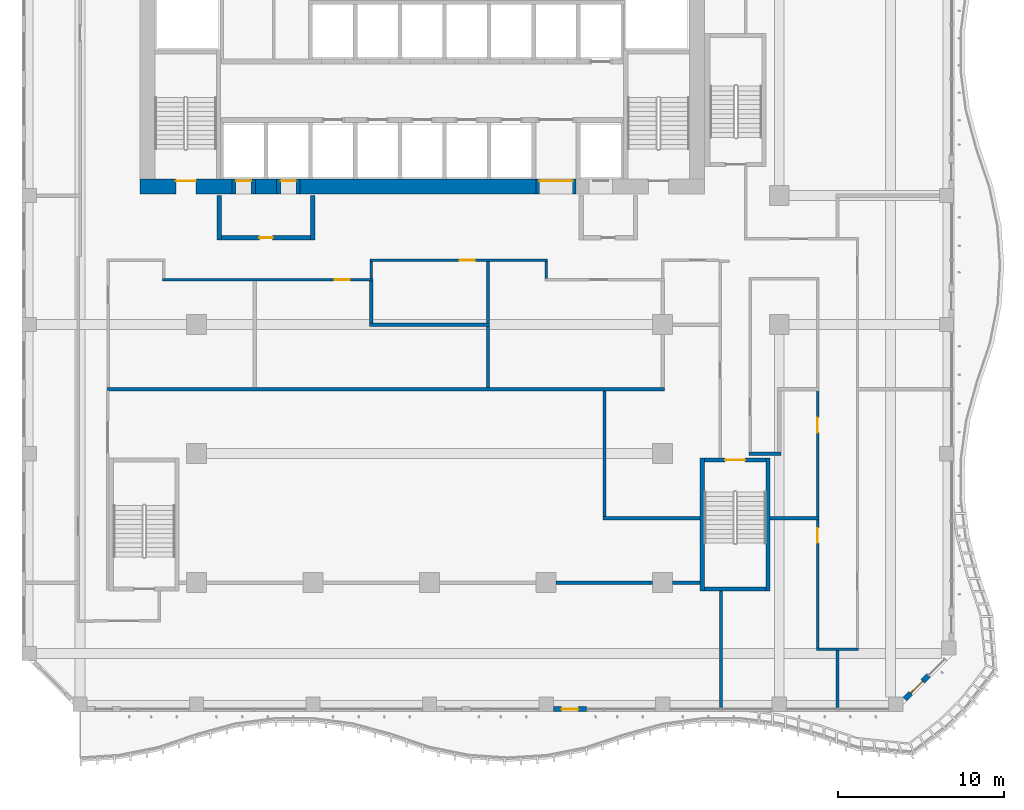
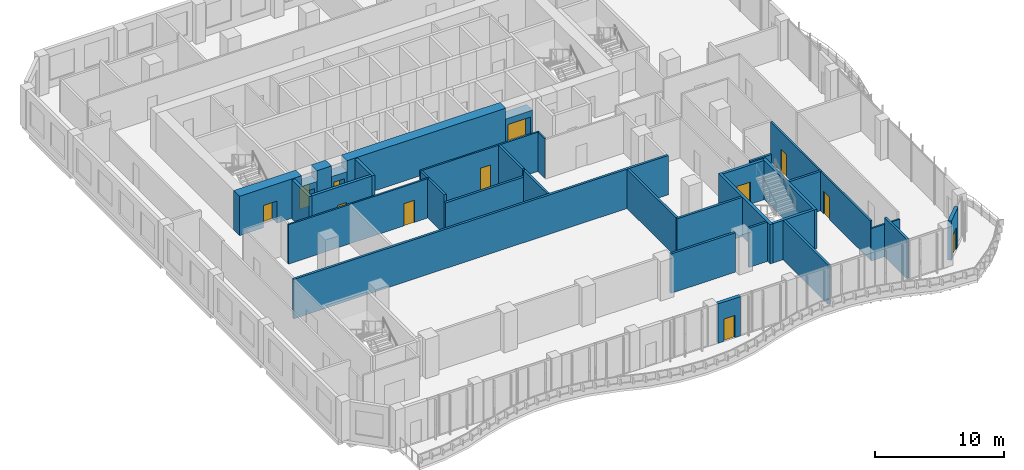
# One storey, part 13 of 27: 35 walls, 12 doors, 12 openings.
"""IFC4 building model written with IfcOpenShell, lengths in metres."""

from ifc_helpers import new_model, si_unit, direction, frame, frame_2d, origin, place, context, subcontext, project, spatial, rectangle, extrude, source, transform, mapped, material, layer, layer_set, type_object, element, fill, save


model = new_model("IFC4")

# Units and contexts
model_context = context("Model", 3, precision=1e-05, world=origin(), true_north=direction((0.0, 1.0)))
body_context = subcontext(model_context, "Body", "Model", "MODEL_VIEW")
ifc_project = project(units=[si_unit("LENGTHUNIT", "METRE"), si_unit("AREAUNIT", "SQUARE_METRE"), si_unit("VOLUMEUNIT", "CUBIC_METRE"), si_unit("PLANEANGLEUNIT", "RADIAN"), si_unit("MASSUNIT", "GRAM", prefix="KILO")], contexts=[model_context])

# Site, building, storey
site_placement = place(None, origin())
site = spatial("IfcSite", under=ifc_project, at=site_placement, CompositionType="ELEMENT")
building_placement = place(site_placement, origin())
building = spatial("IfcBuilding", under=site, at=building_placement, Name="Kilnfold Tower and Market Hall", CompositionType="ELEMENT")
storey_placement = place(building_placement, frame((0.0, 0.0, 112.60009765625)))
storey = spatial("IfcBuildingStorey", under=building, at=storey_placement, Name="L26", CompositionType="ELEMENT", Elevation=112.60009765625)

# Wall, opening, door
ifc_material_1 = material(Name="Gypsum board on steel studs", Category="steel")
ifc_layer_1 = layer(ifc_material_1, 0.14990234375)
ifc_layer_set_1 = layer_set([ifc_layer_1], Name="Gypsum board on steel studs")
wall_type_1 = type_object("IfcWallType", Name="WALL CORRIDOR 150", PredefinedType="PARTITIONING", material=ifc_layer_set_1)
wall_1_placement = place(storey_placement, frame((-14.534912109375, 2.949951171875, 0.0), z_axis=(0.0, 0.0, 1.0), x_axis=(1.0, 0.0, 0.0)))
wall_1 = element("IfcWall", 1, at=wall_1_placement, inside=storey, type_object=wall_type_1, Name="Partition LY17.3", PredefinedType="PARTITIONING", context=body_context, shape_type="SweptSolid", body=[
    extrude(rectangle(XDim=12.635009765625, YDim=0.14990234375, at=frame_2d((6.3173828125, 0.0))), origin(), (0.0, 0.0, 1.0), 3.719970703125),
])
opening_1_placement = place(wall_1_placement, frame((10.3330078125, 0.0, 0.0)))
opening_1 = element("IfcOpeningElement", 2, at=opening_1_placement, cuts=wall_1, Name="Opening D3", PredefinedType="OPENING", context=body_context, shape_type="SweptSolid", body=[
    extrude(rectangle(XDim=0.89990234375, YDim=2.10009765625, at=frame_2d((0.449951171875, 1.050048828125))), frame((0.0, 0.0849609375, 0.0), z_axis=(0.0, -1.0, 0.0), x_axis=(1.0, 0.0, 0.0)), (0.0, 0.0, 1.0), 0.169921875),
])
ifc_material_2 = material(Name="Timber veneer door leaf in steel frame", Category="steel")
door_type_1 = type_object("IfcDoorType", Name="DOOR WC 900 X2100", OperationType="NOTDEFINED", PredefinedType="DOOR", material=ifc_material_2)
door_1_placement = place(opening_1_placement, origin())
door_1 = element("IfcDoor", 3, at=door_1_placement, inside=storey, type_object=door_type_1, Name="Door D3", OperationType="SINGLE_SWING_LEFT", OverallHeight=2.10009765625, OverallWidth=0.89990234375, PredefinedType="DOOR", context=body_context, shape_type="SweptSolid", body=[
    extrude(rectangle(XDim=0.89990234375, YDim=2.10009765625, at=frame_2d((0.449951171875, 1.050048828125))), frame((0.0, 0.02490234375, 0.0), z_axis=(0.0, -1.0, 0.0), x_axis=(1.0, 0.0, 0.0)), (0.0, 0.0, 1.0), 0.050048828125),
])
fill(opening_1, door_1)

wall_2_placement = place(storey_placement, frame((-2.074951171875, 4.125, 0.0), z_axis=(0.0, 0.0, 1.0), x_axis=(1.0, 0.0, 0.0)))
wall_2 = element("IfcWall", 4, at=wall_2_placement, inside=storey, type_object=wall_type_1, Name="Partition LY17.13", PredefinedType="PARTITIONING", context=body_context, shape_type="SweptSolid", body=[
    extrude(rectangle(XDim=10.64990234375, YDim=0.14990234375, at=frame_2d((5.324951171875, 0.0))), origin(), (0.0, 0.0, 1.0), 3.719970703125),
])
opening_2_placement = place(wall_2_placement, frame((5.3759765625, 0.0, 0.0)))
opening_2 = element("IfcOpeningElement", 5, at=opening_2_placement, cuts=wall_2, Name="Opening D2", PredefinedType="OPENING", context=body_context, shape_type="SweptSolid", body=[
    extrude(rectangle(XDim=0.89990234375, YDim=2.10009765625, at=frame_2d((0.449951171875, 1.050048828125))), frame((0.0, 0.0849609375, 0.0), z_axis=(0.0, -1.0, 0.0), x_axis=(1.0, 0.0, 0.0)), (0.0, 0.0, 1.0), 0.169921875),
])
ifc_material_3 = material(Name="Timber veneer door leaf in steel frame", Category="steel")
door_type_2 = type_object("IfcDoorType", Name="DOOR ROOM 900 X2100", OperationType="NOTDEFINED", PredefinedType="DOOR", material=ifc_material_3)
door_2_placement = place(opening_2_placement, origin())
door_2 = element("IfcDoor", 6, at=door_2_placement, inside=storey, type_object=door_type_2, Name="Door D2", OperationType="SINGLE_SWING_RIGHT", OverallHeight=2.10009765625, OverallWidth=0.89990234375, PredefinedType="DOOR", context=body_context, shape_type="SweptSolid", body=[
    extrude(rectangle(XDim=0.89990234375, YDim=2.10009765625, at=frame_2d((0.449951171875, 1.050048828125))), frame((0.0, 0.02490234375, 0.0), z_axis=(0.0, -1.0, 0.0), x_axis=(1.0, 0.0, 0.0)), (0.0, 0.0, 1.0), 0.050048828125),
])
fill(opening_2, door_2)

# Walls
for number, where, z_axis, x_axis, name in (
    (7, (-2.0, 3.02490234375, 0.0), (0.0, 0.0, 1.0), (0.0, 1.0, 0.0), "Partition LY17.14"),
    (8, (8.5, 4.050048828125, 0.0), (0.0, 0.0, 1.0), (0.0, -1.0, 0.0), "Partition LY17.16"),
):
    element("IfcWall", number, at=place(storey_placement, frame(where, z_axis=z_axis, x_axis=x_axis)), inside=storey, type_object=wall_type_1, Name=name, PredefinedType="PARTITIONING", context=body_context, shape_type="SweptSolid", body=[
        extrude(rectangle(XDim=1.025146484375, YDim=0.14990234375, at=frame_2d((0.5126953125, 0.0))), origin(), (0.0, 0.0, 1.0), 3.719970703125),
    ])
wall_3_placement = place(storey_placement, frame((24.72509765625, -19.25, 0.0), z_axis=(0.0, 0.0, 1.0), x_axis=(1.0, 0.0, 0.0)))
element("IfcWall", 9, at=wall_3_placement, inside=storey, type_object=wall_type_1, Name="Partition LY17.18", PredefinedType="PARTITIONING", context=body_context, shape_type="SweptSolid", body=[
    extrude(rectangle(XDim=2.5498046875, YDim=0.14990234375, at=frame_2d((1.27490234375, 0.0))), origin(), (0.0, 0.0, 1.0), 3.06982421875),
])

# Wall, opening, door
wall_4_placement = place(storey_placement, frame((24.800048828125, -19.175048828125, 0.0), z_axis=(0.0, 0.0, 1.0), x_axis=(0.0, 1.0, 0.0)))
wall_4 = element("IfcWall", 10, at=wall_4_placement, inside=storey, type_object=wall_type_1, Name="Partition LY17.19", PredefinedType="PARTITIONING", context=body_context, shape_type="SweptSolid", body=[
    extrude(rectangle(XDim=7.7099609375, YDim=0.14990234375, at=frame_2d((3.85498046875, 0.0))), origin(), (0.0, 0.0, 1.0), 3.719970703125),
])
opening_3_placement = place(wall_4_placement, frame((6.31005859375, 0.0, 0.0)))
opening_3 = element("IfcOpeningElement", 11, at=opening_3_placement, cuts=wall_4, Name="Opening D3", PredefinedType="OPENING", context=body_context, shape_type="SweptSolid", body=[
    extrude(rectangle(XDim=0.89990234375, YDim=2.10009765625, at=frame_2d((0.449951171875, 1.050048828125))), frame((0.0, 0.0849609375, 0.0), z_axis=(0.0, -1.0, 0.0), x_axis=(1.0, 0.0, 0.0)), (0.0, 0.0, 1.0), 0.169921875),
])
door_3_placement = place(opening_3_placement, origin())
door_3 = element("IfcDoor", 12, at=door_3_placement, inside=storey, type_object=door_type_1, Name="Door D3", OperationType="SINGLE_SWING_RIGHT", OverallHeight=2.10009765625, OverallWidth=0.89990234375, PredefinedType="DOOR", context=body_context, shape_type="SweptSolid", body=[
    extrude(rectangle(XDim=0.89990234375, YDim=2.10009765625, at=frame_2d((0.449951171875, 1.050048828125))), frame((0.0, 0.02490234375, 0.0), z_axis=(0.0, -1.0, 0.0), x_axis=(1.0, 0.0, 0.0)), (0.0, 0.0, 1.0), 0.050048828125),
])
fill(opening_3, door_3)

wall_5_placement = place(storey_placement, frame((24.800048828125, -11.284912109375, 0.0), z_axis=(0.0, 0.0, 1.0), x_axis=(0.0, 1.0, 0.0)))
wall_5 = element("IfcWall", 13, at=wall_5_placement, inside=storey, type_object=wall_type_1, Name="Partition LY17.21", PredefinedType="PARTITIONING", context=body_context, shape_type="SweptSolid", body=[
    extrude(rectangle(XDim=7.56982421875, YDim=0.14990234375, at=frame_2d((3.784912109375, 0.0))), origin(), (0.0, 0.0, 1.0), 3.719970703125),
])
opening_4_placement = place(wall_5_placement, frame((5.053955078125, 0.0, 0.0)))
opening_4 = element("IfcOpeningElement", 14, at=opening_4_placement, cuts=wall_5, Name="Opening D2", PredefinedType="OPENING", context=body_context, shape_type="SweptSolid", body=[
    extrude(rectangle(XDim=0.89990234375, YDim=2.10009765625, at=frame_2d((0.449951171875, 1.050048828125))), frame((0.0, 0.0849609375, 0.0), z_axis=(0.0, -1.0, 0.0), x_axis=(1.0, 0.0, 0.0)), (0.0, 0.0, 1.0), 0.169921875),
])
door_4_placement = place(opening_4_placement, origin())
door_4 = element("IfcDoor", 15, at=door_4_placement, inside=storey, type_object=door_type_2, Name="Door D2", OperationType="SINGLE_SWING_LEFT", OverallHeight=2.10009765625, OverallWidth=0.89990234375, PredefinedType="DOOR", context=body_context, shape_type="SweptSolid", body=[
    extrude(rectangle(XDim=0.89990234375, YDim=2.10009765625, at=frame_2d((0.449951171875, 1.050048828125))), frame((0.0, 0.02490234375, 0.0), z_axis=(0.0, -1.0, 0.0), x_axis=(1.0, 0.0, 0.0)), (0.0, 0.0, 1.0), 0.050048828125),
])
fill(opening_4, door_4)

# Walls
ifc_material_4 = material(Name="Gypsum board on steel studs", Category="steel")
ifc_layer_2 = layer(ifc_material_4, 0.199951171875)
ifc_layer_set_2 = layer_set([ifc_layer_2], Name="Gypsum board on steel studs")
wall_type_2 = type_object("IfcWallType", Name="WALL PARTY 200", PredefinedType="PARTITIONING", material=ifc_layer_set_2)
wall_6_placement = place(storey_placement, frame((-17.8740234375, -3.625, 0.0), z_axis=(0.0, 0.0, 1.0), x_axis=(1.0, 0.0, 0.0)))
element("IfcWall", 16, at=wall_6_placement, inside=storey, type_object=wall_type_2, Name="Partition LY17.40", PredefinedType="PARTITIONING", context=body_context, shape_type="SweptSolid", body=[
    extrude(rectangle(XDim=33.47412109375, YDim=0.199951171875, at=frame_2d((16.737060546875, 0.0))), origin(), (0.0, 0.0, 1.0), 3.719970703125),
])
wall_7_placement = place(storey_placement, frame((16.10009765625, -15.25, 0.0), z_axis=(0.0, 0.0, 1.0), x_axis=(1.0, 0.0, 0.0)))
element("IfcWall", 17, at=wall_7_placement, inside=storey, type_object=wall_type_2, Name="Partition LY17.42", PredefinedType="PARTITIONING", context=body_context, shape_type="SweptSolid", body=[
    extrude(rectangle(XDim=1.64990234375, YDim=0.199951171875, at=frame_2d((0.824951171875, 0.0))), origin(), (0.0, 0.0, 1.0), 3.719970703125),
])
wall_8_placement = place(storey_placement, frame((9.10009765625, -15.25, 0.0), z_axis=(0.0, 0.0, 1.0), x_axis=(1.0, 0.0, 0.0)))
element("IfcWall", 18, at=wall_8_placement, inside=storey, type_object=wall_type_2, Name="Partition LY17.43", PredefinedType="PARTITIONING", context=body_context, shape_type="SweptSolid", body=[
    extrude(rectangle(XDim=5.7998046875, YDim=0.199951171875, at=frame_2d((2.89990234375, 0.0))), origin(), (0.0, 0.0, 1.0), 3.719970703125),
])
wall_9_placement = place(storey_placement, frame((12.0, -11.27490234375, 0.0), z_axis=(0.0, 0.0, 1.0), x_axis=(0.0, 1.0, 0.0)))
element("IfcWall", 19, at=wall_9_placement, inside=storey, type_object=wall_type_2, Name="Partition LY17.48", PredefinedType="PARTITIONING", context=body_context, shape_type="SweptSolid", body=[
    extrude(rectangle(XDim=7.5498046875, YDim=0.199951171875, at=frame_2d((3.77490234375, 0.0))), origin(), (0.0, 0.0, 1.0), 3.719970703125),
])
wall_10_placement = place(storey_placement, frame((11.89990234375, -11.375, 0.0), z_axis=(0.0, 0.0, 1.0), x_axis=(1.0, 0.0, 0.0)))
element("IfcWall", 20, at=wall_10_placement, inside=storey, type_object=wall_type_2, Name="Partition LY17.49", PredefinedType="PARTITIONING", context=body_context, shape_type="SweptSolid", body=[
    extrude(rectangle(XDim=5.85009765625, YDim=0.199951171875, at=frame_2d((2.925048828125, 0.0))), origin(), (0.0, 0.0, 1.0), 3.719970703125),
])
wall_11_placement = place(storey_placement, frame((19.0, -22.75, 0.0), z_axis=(0.0, 0.0, 1.0), x_axis=(0.0, 1.0, 0.0)))
element("IfcWall", 21, at=wall_11_placement, inside=storey, type_object=wall_type_2, Name="Partition LY17.50", PredefinedType="PARTITIONING", context=body_context, shape_type="SweptSolid", body=[
    extrude(rectangle(XDim=7.0, YDim=0.199951171875, at=frame_2d((3.5, 0.0))), origin(), (0.0, 0.0, 1.0), 3.719970703125),
])
wall_12_placement = place(storey_placement, frame((-2.0, 0.35009765625, 0.0), z_axis=(0.0, 0.0, 1.0), x_axis=(0.0, 1.0, 0.0)))
element("IfcWall", 22, at=wall_12_placement, inside=storey, type_object=wall_type_2, Name="Partition LY17.51", PredefinedType="PARTITIONING", context=body_context, shape_type="SweptSolid", body=[
    extrude(rectangle(XDim=2.52392578125, YDim=0.199951171875, at=frame_2d((1.261962890625, 0.0))), origin(), (0.0, 0.0, 1.0), 3.719970703125),
])
wall_13_placement = place(storey_placement, frame((-2.10009765625, 0.25, 0.0), z_axis=(0.0, 0.0, 1.0), x_axis=(1.0, 0.0, 0.0)))
element("IfcWall", 23, at=wall_13_placement, inside=storey, type_object=wall_type_2, Name="Partition LY17.52", PredefinedType="PARTITIONING", context=body_context, shape_type="SweptSolid", body=[
    extrude(rectangle(XDim=7.2001953125, YDim=0.199951171875, at=frame_2d((3.60009765625, 0.0))), origin(), (0.0, 0.0, 1.0), 3.06982421875),
])
wall_14_placement = place(storey_placement, frame((5.0, -3.52490234375, 0.0), z_axis=(0.0, 0.0, 1.0), x_axis=(0.0, 1.0, 0.0)))
element("IfcWall", 24, at=wall_14_placement, inside=storey, type_object=wall_type_2, Name="Partition LY17.53", PredefinedType="PARTITIONING", context=body_context, shape_type="SweptSolid", body=[
    extrude(rectangle(XDim=3.6748046875, YDim=0.199951171875, at=frame_2d((1.83740234375, 0.0))), origin(), (0.0, 0.0, 1.0), 3.719970703125),
])
wall_15_placement = place(storey_placement, frame((5.0, 0.35009765625, 0.0), z_axis=(0.0, 0.0, 1.0), x_axis=(0.0, 1.0, 0.0)))
element("IfcWall", 25, at=wall_15_placement, inside=storey, type_object=wall_type_2, Name="Partition LY17.54", PredefinedType="PARTITIONING", context=body_context, shape_type="SweptSolid", body=[
    extrude(rectangle(XDim=3.698974609375, YDim=0.199951171875, at=frame_2d((1.849609375, 0.0))), origin(), (0.0, 0.0, 1.0), 3.719970703125),
])
wall_16_placement = place(storey_placement, frame((26.0, -22.75, 0.0), z_axis=(0.0, 0.0, 1.0), x_axis=(0.0, 1.0, 0.0)))
element("IfcWall", 26, at=wall_16_placement, inside=storey, type_object=wall_type_2, Name="Partition LY17.58", PredefinedType="PARTITIONING", context=body_context, shape_type="SweptSolid", body=[
    extrude(rectangle(XDim=3.424072265625, YDim=0.199951171875, at=frame_2d((1.7119140625, 0.0))), origin(), (0.0, 0.0, 1.0), 3.719970703125),
])
wall_17_placement = place(storey_placement, frame((21.949951171875, -11.375, 0.0), z_axis=(0.0, 0.0, 1.0), x_axis=(1.0, 0.0, 0.0)))
element("IfcWall", 27, at=wall_17_placement, inside=storey, type_object=wall_type_2, Name="Partition LY17.59", PredefinedType="PARTITIONING", context=body_context, shape_type="SweptSolid", body=[
    extrude(rectangle(XDim=2.924072265625, YDim=0.199951171875, at=frame_2d((1.4619140625, 0.0))), origin(), (0.0, 0.0, 1.0), 3.719970703125),
])
wall_18_placement = place(storey_placement, frame((22.60009765625, -7.5, 0.0), z_axis=(0.0, 0.0, 1.0), x_axis=(-1.0, 0.0, 0.0)))
element("IfcWall", 28, at=wall_18_placement, inside=storey, type_object=wall_type_2, Name="Partition LY17.61", PredefinedType="PARTITIONING", context=body_context, shape_type="SweptSolid", body=[
    extrude(rectangle(XDim=1.924072265625, YDim=0.199951171875, at=frame_2d((0.9619140625, 0.0))), origin(), (0.0, 0.0, 1.0), 3.719970703125),
])
ifc_material_5 = material(Name="Concrete C70", Category="concrete")
ifc_layer_3 = layer(ifc_material_5, 0.25)
ifc_layer_set_3 = layer_set([ifc_layer_3], Name="Concrete C70")
wall_type_3 = type_object("IfcWallType", Name="CORE WALL 250 C70", PredefinedType="SHEAR", material=ifc_layer_set_3)
shared_shape_1 = source(origin(), body_context, "Body", "SweptSolid", [
    extrude(rectangle(XDim=3.699951171875, YDim=0.25, at=frame_2d((1.85009765625, 0.0))), origin(), (0.0, 0.0, 1.0), 3.719970703125),
])
wall_19_placement = place(storey_placement, frame((18.0, -15.625, 0.0), z_axis=(0.0, 0.0, 1.0), x_axis=(1.0, 0.0, 0.0)))
element("IfcWall", 29, at=wall_19_placement, inside=storey, type_object=wall_type_3, Name="Stair enclosure ST4", PredefinedType="SHEAR", context=body_context, shape_type="MappedRepresentation", body=[
    mapped(shared_shape_1, transform((0.0, 0.0, 0.0))),
])

# Wall, opening, door
wall_20_placement = place(storey_placement, frame((18.0, -7.875, 0.0), z_axis=(0.0, 0.0, 1.0), x_axis=(1.0, 0.0, 0.0)))
wall_20 = element("IfcWall", 30, at=wall_20_placement, inside=storey, type_object=wall_type_3, Name="Stair enclosure ST4", PredefinedType="SHEAR", context=body_context, shape_type="MappedRepresentation", body=[
    mapped(shared_shape_1, transform((0.0, 0.0, 0.0))),
])
opening_5_placement = place(wall_20_placement, frame((1.25, 0.0, 0.0)))
opening_5 = element("IfcOpeningElement", 31, at=opening_5_placement, cuts=wall_20, Name="Opening SD1", PredefinedType="OPENING", context=body_context, shape_type="SweptSolid", body=[
    extrude(rectangle(XDim=1.199951171875, YDim=2.10009765625, at=frame_2d((0.60009765625, 1.050048828125))), frame((0.0, 0.135009765625, 0.0), z_axis=(0.0, -1.0, 0.0), x_axis=(1.0, 0.0, 0.0)), (0.0, 0.0, 1.0), 0.27001953125),
])
ifc_material_6 = material(Name="Steel door set with fire-resisting leaf", Category="steel")
door_type_3 = type_object("IfcDoorType", Name="STAIR FLOOR DOOR 1200X2100", OperationType="NOTDEFINED", PredefinedType="DOOR", material=ifc_material_6)
door_5_placement = place(opening_5_placement, origin())
door_5 = element("IfcDoor", 32, at=door_5_placement, inside=storey, type_object=door_type_3, Name="Exit stair ST4 door", OperationType="DOUBLE_DOOR_SINGLE_SWING", OverallHeight=2.10009765625, OverallWidth=1.199951171875, PredefinedType="DOOR", context=body_context, shape_type="SweptSolid", body=[
    extrude(rectangle(XDim=1.199951171875, YDim=2.10009765625, at=frame_2d((0.60009765625, 1.050048828125))), frame((0.0, 0.02490234375, 0.0), z_axis=(0.0, -1.0, 0.0), x_axis=(1.0, 0.0, 0.0)), (0.0, 0.0, 1.0), 0.050048828125),
])
fill(opening_5, door_5)

# Walls
shared_shape_2 = source(origin(), body_context, "Body", "SweptSolid", [
    extrude(rectangle(XDim=8.0, YDim=0.25, at=frame_2d((4.0, 0.0))), origin(), (0.0, 0.0, 1.0), 3.719970703125),
])
for number, where, z_axis, x_axis, name in (
    (33, (17.875, -15.75, 0.0), (0.0, 0.0, 1.0), (0.0, 1.0, 0.0), "Stair enclosure ST4"),
    (34, (21.824951171875, -15.75, 0.0), (0.0, 0.0, 1.0), (0.0, 1.0, 0.0), "Stair enclosure ST4"),
):
    element("IfcWall", number, at=place(storey_placement, frame(where, z_axis=z_axis, x_axis=x_axis)), inside=storey, type_object=wall_type_3, Name=name, PredefinedType="SHEAR", context=body_context, shape_type="MappedRepresentation", body=[
        mapped(shared_shape_2, transform((0.0, 0.0, 0.0))),
    ])

# Wall, opening, door
ifc_material_7 = material(Name="Concrete C70", Category="concrete")
ifc_layer_4 = layer(ifc_material_7, 0.89990234375)
ifc_layer_set_4 = layer_set([ifc_layer_4], Name="Concrete C70")
wall_type_4 = type_object("IfcWallType", Name="CORE WALL 900 C70", PredefinedType="SHEAR", material=ifc_layer_set_4)
shared_shape_3 = source(origin(), body_context, "Body", "SweptSolid", [
    extrude(rectangle(XDim=5.52978515625, YDim=0.89990234375, at=frame_2d((2.764892578125, 0.0))), origin(), (0.0, 0.0, 1.0), 3.719970703125),
])
wall_21_placement = place(storey_placement, frame((-15.89990234375, 8.550048828125, 0.0), z_axis=(0.0, 0.0, 1.0), x_axis=(1.0, 0.0, 0.0)))
wall_21 = element("IfcWall", 35, at=wall_21_placement, inside=storey, type_object=wall_type_4, Name="Core outer wall south", PredefinedType="SHEAR", context=body_context, shape_type="MappedRepresentation", body=[
    mapped(shared_shape_3, transform((0.0, 0.0, 0.0))),
])
opening_6_placement = place(wall_21_placement, frame((2.14990234375, 0.0, 0.0)))
opening_6 = element("IfcOpeningElement", 36, at=opening_6_placement, cuts=wall_21, Name="Opening SD1", PredefinedType="OPENING", context=body_context, shape_type="SweptSolid", body=[
    extrude(rectangle(XDim=1.199951171875, YDim=2.10009765625, at=frame_2d((0.60009765625, 1.050048828125))), frame((0.0, 0.4599609375, 0.0), z_axis=(0.0, -1.0, 0.0), x_axis=(1.0, 0.0, 0.0)), (0.0, 0.0, 1.0), 0.919921875),
])
door_6_placement = place(opening_6_placement, origin())
door_6 = element("IfcDoor", 37, at=door_6_placement, inside=storey, type_object=door_type_3, Name="Exit stair ST1 door", OperationType="DOUBLE_DOOR_SINGLE_SWING", OverallHeight=2.10009765625, OverallWidth=1.199951171875, PredefinedType="DOOR", context=body_context, shape_type="SweptSolid", body=[
    extrude(rectangle(XDim=1.199951171875, YDim=2.10009765625, at=frame_2d((0.60009765625, 1.050048828125))), frame((0.0, 0.35498046875, 0.0), z_axis=(0.0, -1.0, 0.0), x_axis=(1.0, 0.0, 0.0)), (0.0, 0.0, 1.0), 0.050048828125),
])
fill(opening_6, door_6)

# Walls
shared_shape_4 = source(origin(), body_context, "Body", "SweptSolid", [
    extrude(rectangle(XDim=1.280029296875, YDim=0.89990234375, at=frame_2d((0.64013671875, 0.0))), origin(), (0.0, 0.0, 1.0), 3.719970703125),
])
wall_22_placement = place(storey_placement, frame((-8.969970703125, 8.550048828125, 0.0), z_axis=(0.0, 0.0, 1.0), x_axis=(1.0, 0.0, 0.0)))
element("IfcWall", 38, at=wall_22_placement, inside=storey, type_object=wall_type_4, Name="Core outer wall south", PredefinedType="SHEAR", context=body_context, shape_type="MappedRepresentation", body=[
    mapped(shared_shape_4, transform((0.0, 0.0, 0.0))),
])
shared_shape_5 = source(origin(), body_context, "Body", "SweptSolid", [
    extrude(rectangle(XDim=14.179931640625, YDim=0.89990234375, at=frame_2d((7.08984375, 0.0))), origin(), (0.0, 0.0, 1.0), 3.719970703125),
])
wall_23_placement = place(storey_placement, frame((-6.2900390625, 8.550048828125, 0.0), z_axis=(0.0, 0.0, 1.0), x_axis=(1.0, 0.0, 0.0)))
element("IfcWall", 39, at=wall_23_placement, inside=storey, type_object=wall_type_4, Name="Core outer wall south", PredefinedType="SHEAR", context=body_context, shape_type="MappedRepresentation", body=[
    mapped(shared_shape_5, transform((0.0, 0.0, 0.0))),
])

# Wall, opening, door
ifc_material_8 = material(Name="Precast concrete C50/60", Category="concrete")
ifc_layer_5 = layer(ifc_material_8, 0.300048828125)
ifc_layer_set_5 = layer_set([ifc_layer_5], Name="Precast concrete C50/60")
wall_type_5 = type_object("IfcWallType", Name="PRECAST WALL 300", PredefinedType="SOLIDWALL", material=ifc_layer_set_5)
shared_shape_6 = source(origin(), body_context, "Body", "SweptSolid", [
    extrude(rectangle(XDim=2.0, YDim=0.300048828125, at=frame_2d((1.0, 0.0))), origin(), (0.0, 0.0, 1.0), 3.719970703125),
])
wall_24_placement = place(storey_placement, frame((8.925048828125, -22.85009765625, 0.0), z_axis=(0.0, 0.0, 1.0), x_axis=(1.0, 0.0, 0.0)))
wall_24 = element("IfcWall", 40, at=wall_24_placement, inside=storey, type_object=wall_type_5, Name="External wall L26 S", PredefinedType="SOLIDWALL", context=body_context, shape_type="MappedRepresentation", body=[
    mapped(shared_shape_6, transform((0.0, 0.0, 0.0))),
])
opening_7_placement = place(wall_24_placement, frame((0.5, 0.0, 0.0)))
opening_7 = element("IfcOpeningElement", 41, at=opening_7_placement, cuts=wall_24, Name="Opening BD1", PredefinedType="OPENING", context=body_context, shape_type="SweptSolid", body=[
    extrude(rectangle(XDim=1.0, YDim=2.10009765625, at=frame_2d((0.5, 1.050048828125))), frame((0.0, 0.16015625, 0.0), z_axis=(0.0, -1.0, 0.0), x_axis=(1.0, 0.0, 0.0)), (0.0, 0.0, 1.0), 0.320068359375),
])
ifc_material_9 = material(Name="Aluminium frame and double glazing", Category="aluminium")
door_type_4 = type_object("IfcDoorType", Name="BALCONY DOOR 1000X2100", OperationType="NOTDEFINED", PredefinedType="DOOR", material=ifc_material_9)
door_7_placement = place(opening_7_placement, origin())
door_7 = element("IfcDoor", 42, at=door_7_placement, inside=storey, type_object=door_type_4, Name="Balcony door BD1 L26 S-1", OperationType="SINGLE_SWING_LEFT", OverallHeight=2.10009765625, OverallWidth=1.0, PredefinedType="DOOR", context=body_context, shape_type="SweptSolid", body=[
    extrude(rectangle(XDim=1.0, YDim=2.10009765625, at=frame_2d((0.5, 1.050048828125))), frame((0.0, 0.02490234375, 0.0), z_axis=(0.0, -1.0, 0.0), x_axis=(1.0, 0.0, 0.0)), (0.0, 0.0, 1.0), 0.050048828125),
])
fill(opening_7, door_7)

wall_25_placement = place(storey_placement, frame((30.0439453125, -22.243896484375, 0.0), z_axis=(0.0, 0.0, 1.0), x_axis=(0.707045742145, 0.70716781496, 0.0)))
wall_25 = element("IfcWall", 43, at=wall_25_placement, inside=storey, type_object=wall_type_5, Name="External wall L26 SE", PredefinedType="SOLIDWALL", context=body_context, shape_type="MappedRepresentation", body=[
    mapped(shared_shape_6, transform((0.0, 0.0, 0.0))),
])
opening_8_placement = place(wall_25_placement, frame((0.5, 0.0, 0.0)))
opening_8 = element("IfcOpeningElement", 44, at=opening_8_placement, cuts=wall_25, Name="Opening BD1", PredefinedType="OPENING", context=body_context, shape_type="SweptSolid", body=[
    extrude(rectangle(XDim=1.0, YDim=2.10009765625, at=frame_2d((0.5, 1.050048828125))), frame((0.0, 0.16015625, 0.0), z_axis=(0.0, -1.0, 0.0), x_axis=(1.0, 0.0, 0.0)), (0.0, 0.0, 1.0), 0.320068359375),
])
door_8_placement = place(opening_8_placement, origin())
door_8 = element("IfcDoor", 45, at=door_8_placement, inside=storey, type_object=door_type_4, Name="Balcony door BD1 L26 SE-1", OperationType="SINGLE_SWING_LEFT", OverallHeight=2.10009765625, OverallWidth=1.0, PredefinedType="DOOR", context=body_context, shape_type="SweptSolid", body=[
    extrude(rectangle(XDim=1.0, YDim=2.10009765625, at=frame_2d((0.5, 1.050048828125))), frame((0.0, 0.02490234375, 0.0), z_axis=(0.0, -1.0, 0.0), x_axis=(1.0, 0.0, 0.0)), (0.0, 0.0, 1.0), 0.050048828125),
])
fill(opening_8, door_8)

# Walls
ifc_material_10 = material(Name="Gypsum shaft wall system")
ifc_layer_6 = layer(ifc_material_10, 0.25)
ifc_layer_set_6 = layer_set([ifc_layer_6], Name="Gypsum shaft wall system")
wall_type_6 = type_object("IfcWallType", Name="LOBBY WALL 250", PredefinedType="PARTITIONING", material=ifc_layer_set_6)
shared_shape_7 = source(origin(), body_context, "Body", "SweptSolid", [
    extrude(rectangle(XDim=2.64990234375, YDim=0.25, at=frame_2d((1.324951171875, 0.0))), origin(), (0.0, 0.0, 1.0), 3.719970703125),
])
for number, where, z_axis, x_axis, name in (
    (46, (-11.135009765625, 5.35009765625, 0.0), (0.0, 0.0, 1.0), (0.0, 1.0, 0.0), "Firefighting lobby wall"),
    (47, (-5.52490234375, 5.35009765625, 0.0), (0.0, 0.0, 1.0), (0.0, 1.0, 0.0), "Firefighting lobby wall"),
):
    element("IfcWall", number, at=place(storey_placement, frame(where, z_axis=z_axis, x_axis=x_axis)), inside=storey, type_object=wall_type_6, Name=name, PredefinedType="PARTITIONING", context=body_context, shape_type="MappedRepresentation", body=[
        mapped(shared_shape_7, transform((0.0, 0.0, 0.0))),
    ])

# Wall, opening, door
shared_shape_8 = source(origin(), body_context, "Body", "SweptSolid", [
    extrude(rectangle(XDim=5.360107421875, YDim=0.25, at=frame_2d((2.68017578125, 0.0))), origin(), (0.0, 0.0, 1.0), 3.719970703125),
])
wall_26_placement = place(storey_placement, frame((-11.010009765625, 5.47509765625, 0.0), z_axis=(0.0, 0.0, 1.0), x_axis=(1.0, 0.0, 0.0)))
wall_26 = element("IfcWall", 48, at=wall_26_placement, inside=storey, type_object=wall_type_6, Name="Firefighting lobby wall", PredefinedType="PARTITIONING", context=body_context, shape_type="MappedRepresentation", body=[
    mapped(shared_shape_8, transform((0.0, 0.0, 0.0))),
])
opening_9_placement = place(wall_26_placement, frame((2.280029296875, 0.0, 0.0)))
opening_9 = element("IfcOpeningElement", 49, at=opening_9_placement, cuts=wall_26, Name="Opening VD1", PredefinedType="OPENING", context=body_context, shape_type="SweptSolid", body=[
    extrude(rectangle(XDim=0.800048828125, YDim=2.0, at=frame_2d((0.39990234375, 1.0))), frame((0.0, 0.135009765625, 0.0), z_axis=(0.0, -1.0, 0.0), x_axis=(1.0, 0.0, 0.0)), (0.0, 0.0, 1.0), 0.27001953125),
])
ifc_material_11 = material(Name="Steel door set with fire-resisting leaf", Category="steel")
door_type_5 = type_object("IfcDoorType", Name="FIREFIGHTING LOBBY DOOR 800X2000", OperationType="NOTDEFINED", PredefinedType="DOOR", material=ifc_material_11)
door_9_placement = place(opening_9_placement, origin())
door_9 = element("IfcDoor", 50, at=door_9_placement, inside=storey, type_object=door_type_5, Name="Firefighting lobby door", OperationType="SINGLE_SWING_LEFT", OverallHeight=2.0, OverallWidth=0.800048828125, PredefinedType="DOOR", context=body_context, shape_type="SweptSolid", body=[
    extrude(rectangle(XDim=0.800048828125, YDim=2.0, at=frame_2d((0.39990234375, 1.0))), frame((0.0, 0.02490234375, 0.0), z_axis=(0.0, -1.0, 0.0), x_axis=(1.0, 0.0, 0.0)), (0.0, 0.0, 1.0), 0.050048828125),
])
fill(opening_9, door_9)

ifc_material_12 = material(Name="Gypsum shaft wall system")
ifc_layer_7 = layer(ifc_material_12, 0.89990234375)
ifc_layer_set_7 = layer_set([ifc_layer_7], Name="Gypsum shaft wall system")
wall_type_7 = type_object("IfcWallType", Name="LOBBY WALL 900", PredefinedType="PARTITIONING", material=ifc_layer_set_7)
shared_shape_9 = source(origin(), body_context, "Body", "SweptSolid", [
    extrude(rectangle(XDim=1.400146484375, YDim=0.89990234375, at=frame_2d((0.7001953125, 0.0))), origin(), (0.0, 0.0, 1.0), 2.699951171875),
])
wall_27_placement = place(storey_placement, frame((-10.3701171875, 8.550048828125, 0.0), z_axis=(0.0, 0.0, 1.0), x_axis=(1.0, 0.0, 0.0)))
wall_27 = element("IfcWall", 51, at=wall_27_placement, inside=storey, type_object=wall_type_7, Name="Core wall infill", PredefinedType="PARTITIONING", context=body_context, shape_type="MappedRepresentation", body=[
    mapped(shared_shape_9, transform((0.0, 0.0, 0.0))),
])
opening_10_placement = place(wall_27_placement, frame((0.25, 0.0, 0.0)))
opening_10 = element("IfcOpeningElement", 52, at=opening_10_placement, cuts=wall_27, Name="Opening LD1", PredefinedType="OPENING", context=body_context, shape_type="SweptSolid", body=[
    extrude(rectangle(XDim=0.89990234375, YDim=2.10009765625, at=frame_2d((0.449951171875, 1.050048828125))), frame((0.0, 0.4599609375, 0.0), z_axis=(0.0, -1.0, 0.0), x_axis=(1.0, 0.0, 0.0)), (0.0, 0.0, 1.0), 0.919921875),
])
ifc_material_13 = material(Name="Steel door set with fire-resisting leaf", Category="steel")
door_type_6 = type_object("IfcDoorType", Name="FIREFIGHTING LANDING DOOR 900X2100", OperationType="NOTDEFINED", PredefinedType="DOOR", material=ifc_material_13)
door_10_placement = place(opening_10_placement, origin())
door_10 = element("IfcDoor", 53, at=door_10_placement, inside=storey, type_object=door_type_6, Name="Landing door FF1", OperationType="SLIDING_TO_LEFT", OverallHeight=2.10009765625, OverallWidth=0.89990234375, PredefinedType="DOOR", context=body_context, shape_type="SweptSolid", body=[
    extrude(rectangle(XDim=0.89990234375, YDim=2.10009765625, at=frame_2d((0.449951171875, 1.050048828125))), frame((0.0, 0.35498046875, 0.0), z_axis=(0.0, -1.0, 0.0), x_axis=(1.0, 0.0, 0.0)), (0.0, 0.0, 1.0), 0.050048828125),
])
fill(opening_10, door_10)

shared_shape_10 = source(origin(), body_context, "Body", "SweptSolid", [
    extrude(rectangle(XDim=1.39990234375, YDim=0.89990234375, at=frame_2d((0.699951171875, 0.0))), origin(), (0.0, 0.0, 1.0), 2.699951171875),
])
wall_28_placement = place(storey_placement, frame((-7.68994140625, 8.550048828125, 0.0), z_axis=(0.0, 0.0, 1.0), x_axis=(1.0, 0.0, 0.0)))
wall_28 = element("IfcWall", 54, at=wall_28_placement, inside=storey, type_object=wall_type_7, Name="Core wall infill", PredefinedType="PARTITIONING", context=body_context, shape_type="MappedRepresentation", body=[
    mapped(shared_shape_10, transform((0.0, 0.0, 0.0))),
])
opening_11_placement = place(wall_28_placement, frame((0.25, 0.0, 0.0)))
opening_11 = element("IfcOpeningElement", 55, at=opening_11_placement, cuts=wall_28, Name="Opening LD1", PredefinedType="OPENING", context=body_context, shape_type="SweptSolid", body=[
    extrude(rectangle(XDim=0.89990234375, YDim=2.10009765625, at=frame_2d((0.449951171875, 1.050048828125))), frame((0.0, 0.4599609375, 0.0), z_axis=(0.0, -1.0, 0.0), x_axis=(1.0, 0.0, 0.0)), (0.0, 0.0, 1.0), 0.919921875),
])
door_11_placement = place(opening_11_placement, origin())
door_11 = element("IfcDoor", 56, at=door_11_placement, inside=storey, type_object=door_type_6, Name="Landing door FF2", OperationType="SLIDING_TO_RIGHT", OverallHeight=2.10009765625, OverallWidth=0.89990234375, PredefinedType="DOOR", context=body_context, shape_type="SweptSolid", body=[
    extrude(rectangle(XDim=0.89990234375, YDim=2.10009765625, at=frame_2d((0.449951171875, 1.050048828125))), frame((0.0, 0.35498046875, 0.0), z_axis=(0.0, -1.0, 0.0), x_axis=(1.0, 0.0, 0.0)), (0.0, 0.0, 1.0), 0.050048828125),
])
fill(opening_11, door_11)

shared_shape_11 = source(origin(), body_context, "Body", "SweptSolid", [
    extrude(rectangle(XDim=2.400146484375, YDim=0.89990234375, at=frame_2d((1.2001953125, 0.0))), origin(), (0.0, 0.0, 1.0), 2.699951171875),
])
wall_29_placement = place(storey_placement, frame((7.889892578125, 8.550048828125, 0.0), z_axis=(0.0, 0.0, 1.0), x_axis=(1.0, 0.0, 0.0)))
wall_29 = element("IfcWall", 57, at=wall_29_placement, inside=storey, type_object=wall_type_7, Name="Core wall infill", PredefinedType="PARTITIONING", context=body_context, shape_type="MappedRepresentation", body=[
    mapped(shared_shape_11, transform((0.0, 0.0, 0.0))),
])
opening_12_placement = place(wall_29_placement, frame((0.199951171875, 0.0, 0.0)))
opening_12 = element("IfcOpeningElement", 58, at=opening_12_placement, cuts=wall_29, Name="Opening VD2", PredefinedType="OPENING", context=body_context, shape_type="SweptSolid", body=[
    extrude(rectangle(XDim=2.0, YDim=2.10009765625, at=frame_2d((1.0, 1.050048828125))), frame((0.0, 0.4599609375, 0.0), z_axis=(0.0, -1.0, 0.0), x_axis=(1.0, 0.0, 0.0)), (0.0, 0.0, 1.0), 0.919921875),
])
ifc_material_14 = material(Name="Steel door set with fire-resisting leaf", Category="steel")
door_type_7 = type_object("IfcDoorType", Name="LIFT LOBBY ENTRANCE DOOR 2000X2100", OperationType="NOTDEFINED", PredefinedType="DOOR", material=ifc_material_14)
door_12_placement = place(opening_12_placement, origin())
door_12 = element("IfcDoor", 59, at=door_12_placement, inside=storey, type_object=door_type_7, Name="Lift lobby entrance door", OperationType="DOUBLE_DOOR_SINGLE_SWING", OverallHeight=2.10009765625, OverallWidth=2.0, PredefinedType="DOOR", context=body_context, shape_type="SweptSolid", body=[
    extrude(rectangle(XDim=2.0, YDim=2.10009765625, at=frame_2d((1.0, 1.050048828125))), frame((0.0, 0.35498046875, 0.0), z_axis=(0.0, -1.0, 0.0), x_axis=(1.0, 0.0, 0.0)), (0.0, 0.0, 1.0), 0.050048828125),
])
fill(opening_12, door_12)

save(model, "model.ifc")
